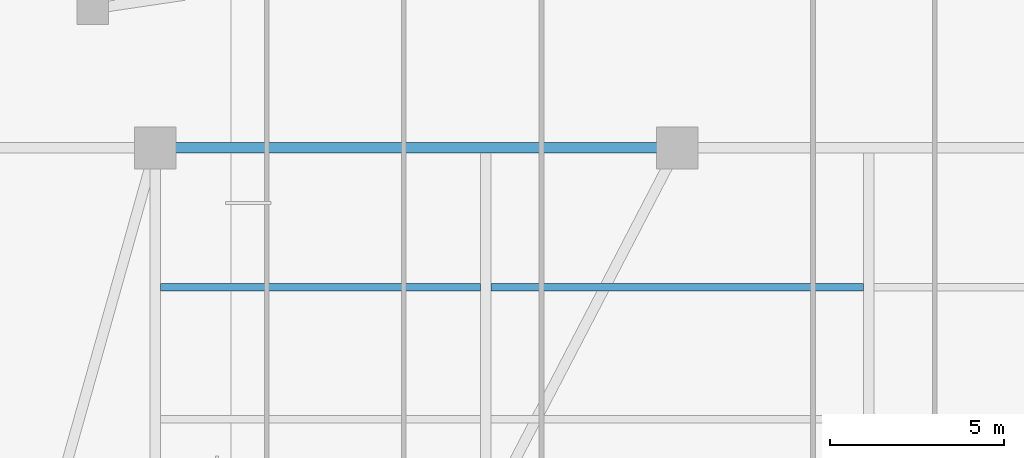
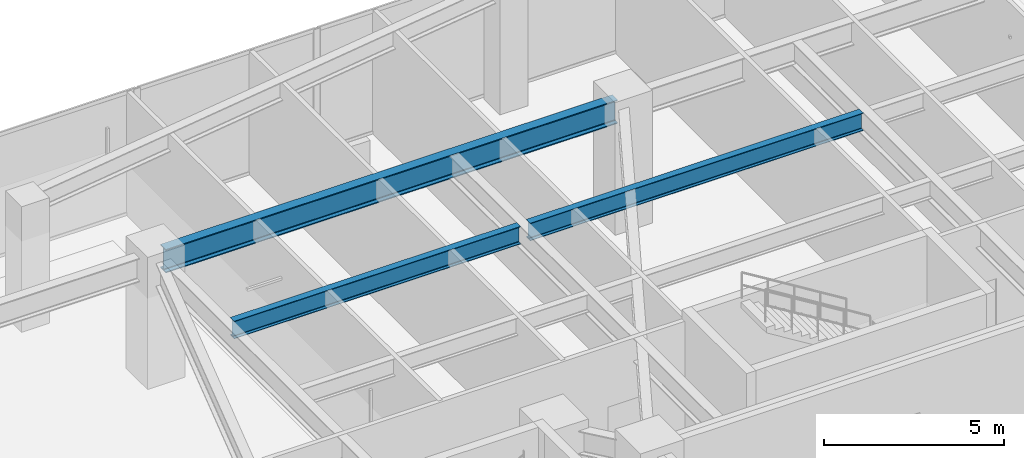
# One storey, part 3 of 22: 3 beams.
"""IFC4 building model written with IfcOpenShell, lengths in metres."""

from ifc_helpers import new_model, si_unit, direction, frame, origin, origin_2d, place, context, subcontext, project, spatial, i_section, extrude, material, material_profile, profile_set, type_object, element, save


model = new_model("IFC4")

# Units and contexts
model_context = context("Model", 3, precision=1e-05, world=origin(), true_north=direction((0.0, 1.0)))
body_context = subcontext(model_context, "Body", "Model", "MODEL_VIEW")
ifc_project = project(units=[si_unit("LENGTHUNIT", "METRE"), si_unit("AREAUNIT", "SQUARE_METRE"), si_unit("VOLUMEUNIT", "CUBIC_METRE"), si_unit("PLANEANGLEUNIT", "RADIAN"), si_unit("MASSUNIT", "GRAM", prefix="KILO")], contexts=[model_context])

# Site, building, storey
site_placement = place(None, origin())
site = spatial("IfcSite", under=ifc_project, at=site_placement, CompositionType="ELEMENT")
building_placement = place(site_placement, origin())
building = spatial("IfcBuilding", under=site, at=building_placement, Name="Tarnavaz Court Tower", CompositionType="ELEMENT")
storey_placement = place(building_placement, frame((0.0, 0.0, 14.39990234375)))
storey = spatial("IfcBuildingStorey", under=building, at=storey_placement, Name="L03", CompositionType="ELEMENT", Elevation=14.39990234375)

# Beams
ifc_material = material(Name="Steel S355", Category="steel")
ifc_material_profile_1 = material_profile(ifc_material, i_section(OverallWidth=0.300048828125, OverallDepth=0.800048828125, WebThickness=0.017578125, FlangeThickness=0.032958984375, FilletRadius=0.030029296875, at=origin_2d()), Name="HEB 800")
ifc_profile_set_1 = profile_set([ifc_material_profile_1], Name="Steel S355")
beam_type_1 = type_object("IfcBeamType", Name="BM-G-HEB800", PredefinedType="USERDEFINED", material=ifc_profile_set_1)
beam_1_placement = place(storey_placement, frame((-14.75, 22.800048828125, 3.800048828125), z_axis=(1.0, 0.0, 0.0), x_axis=(0.0, 1.0, 0.0)))
element("IfcBeam", 1, at=beam_1_placement, inside=storey, type_object=beam_type_1, Name="L03 Beam PM-PM-N1-PM-N2", ObjectType="GIRDER", PredefinedType="USERDEFINED", context=body_context, shape_type="SweptSolid", body=[
    extrude(i_section(OverallWidth=0.300048828125, OverallDepth=0.800048828125, WebThickness=0.017578125, FlangeThickness=0.032958984375, FilletRadius=0.030029296875, at=origin_2d()), origin(), (0.0, 0.0, 1.0), 14.5),
])
ifc_material_profile_2 = material_profile(ifc_material, i_section(OverallWidth=0.219970703125, OverallDepth=0.60009765625, WebThickness=0.011962890625, FlangeThickness=0.01904296875, FilletRadius=0.02392578125, at=origin_2d()), Name="IPE 600")
ifc_profile_set_2 = profile_set([ifc_material_profile_2], Name="Steel S355")
beam_type_2 = type_object("IfcBeamType", Name="BM-J-IPE600", PredefinedType="JOIST", material=ifc_profile_set_2)
beam_2_placement = place(storey_placement, frame((-14.85009765625, 18.800048828125, 3.900146484375), z_axis=(1.0, 0.0, 0.0), x_axis=(0.0, 1.0, 0.0)))
element("IfcBeam", 2, at=beam_2_placement, inside=storey, type_object=beam_type_2, Name="L03 Beam PJN-2-1", PredefinedType="JOIST", context=body_context, shape_type="SweptSolid", body=[
    extrude(i_section(OverallWidth=0.219970703125, OverallDepth=0.60009765625, WebThickness=0.011962890625, FlangeThickness=0.01904296875, FilletRadius=0.02392578125, at=origin_2d()), origin(), (0.0, 0.0, 1.0), 9.2001953125),
])
beam_3_placement = place(storey_placement, frame((-5.35009765625, 18.800048828125, 3.900146484375), z_axis=(1.0, 0.0, 0.0), x_axis=(0.0, 1.0, 0.0)))
element("IfcBeam", 3, at=beam_3_placement, inside=storey, type_object=beam_type_2, Name="L03 Beam PJN-2-2", PredefinedType="JOIST", context=body_context, shape_type="SweptSolid", body=[
    extrude(i_section(OverallWidth=0.219970703125, OverallDepth=0.60009765625, WebThickness=0.011962890625, FlangeThickness=0.01904296875, FilletRadius=0.02392578125, at=origin_2d()), origin(), (0.0, 0.0, 1.0), 10.7001953125),
])

save(model, "model.ifc")
